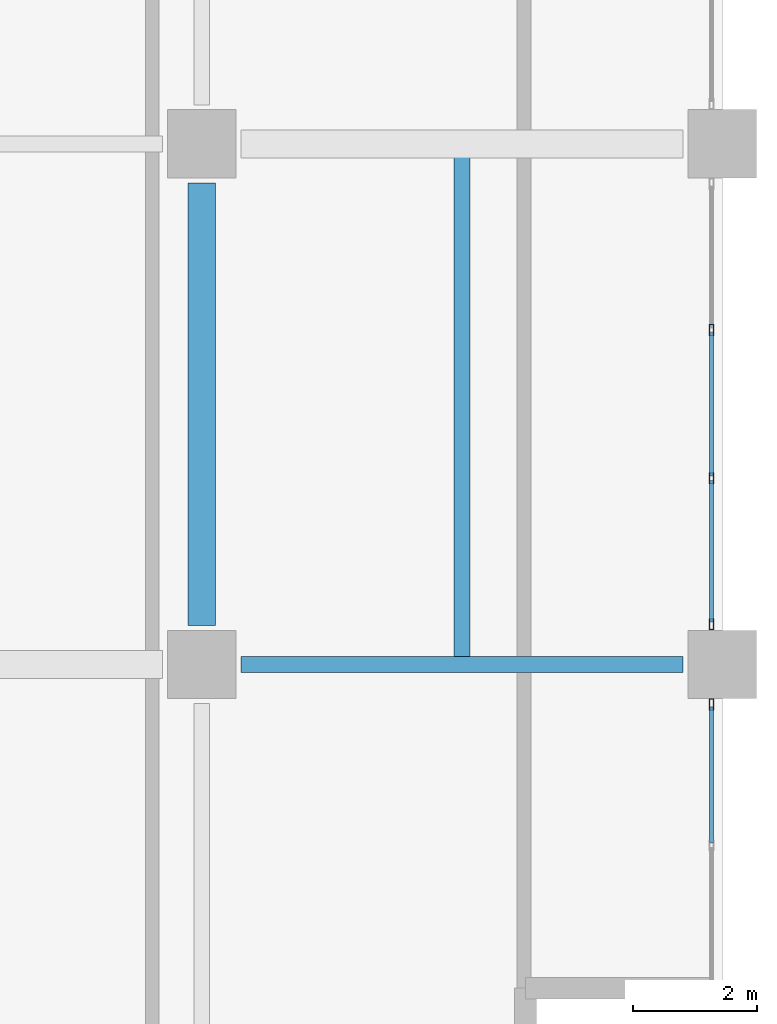
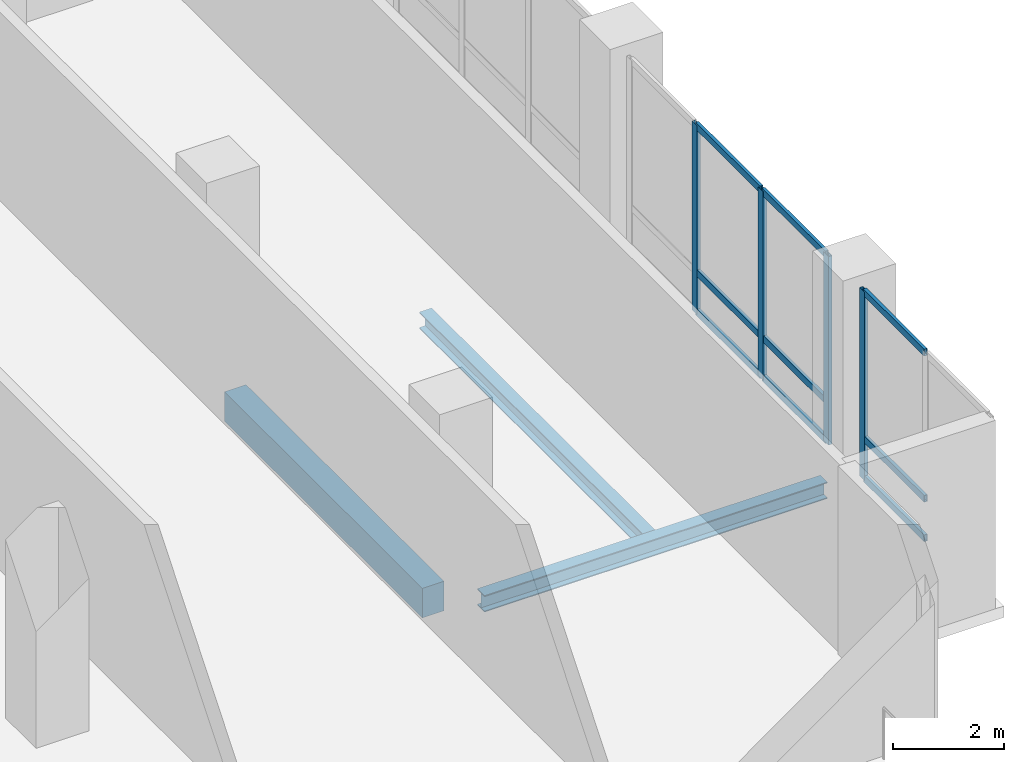
# One storey, part 4 of 22: 13 members, 3 beams, 2 elements without a shape of their own.
"""IFC4 building model written with IfcOpenShell, lengths in metres."""

from ifc_helpers import new_model, si_unit, direction, frame, origin, origin_2d, place, context, subcontext, project, spatial, rectangle, hollow_rectangle, i_section, extrude, material, layer, layer_set, material_profile, profile_set, type_object, element, aggregate, save


model = new_model("IFC4")

# Units and contexts
model_context = context("Model", 3, precision=1e-05, world=origin(), true_north=direction((0.0, 1.0)))
body_context = subcontext(model_context, "Body", "Model", "MODEL_VIEW")
ifc_project = project(units=[si_unit("LENGTHUNIT", "METRE"), si_unit("AREAUNIT", "SQUARE_METRE"), si_unit("VOLUMEUNIT", "CUBIC_METRE"), si_unit("PLANEANGLEUNIT", "RADIAN"), si_unit("MASSUNIT", "GRAM", prefix="KILO")], contexts=[model_context])

# Site, building, storey
site_placement = place(None, origin())
site = spatial("IfcSite", under=ifc_project, at=site_placement, CompositionType="ELEMENT")
building_placement = place(site_placement, origin())
building = spatial("IfcBuilding", under=site, at=building_placement, Name="Koriwani Terraces Tower", CompositionType="ELEMENT")
storey_placement = place(building_placement, frame((0.0, 0.0, 153.199951171875)))
storey = spatial("IfcBuildingStorey", under=building, at=storey_placement, Name="L37", CompositionType="ELEMENT", Elevation=153.199951171875)

# Beam
ifc_material_1 = material(Name="Concrete C50/60", Category="concrete")
ifc_material_profile_1 = material_profile(ifc_material_1, rectangle(XDim=0.449951171875, YDim=0.64990234375, at=origin_2d()), Name="Concrete C50/60", Category="LoadBearing")
ifc_profile_set_1 = profile_set([ifc_material_profile_1], Name="Concrete C50/60")
beam_type_1 = type_object("IfcBeamType", Name="BEAM_RC_GRID_450X650", PredefinedType="BEAM", material=ifc_profile_set_1)
beam_1_placement = place(storey_placement, frame((67.199951171875, 9.030029296875, -0.574951171875), z_axis=(0.0, 1.0, 0.0), x_axis=(-1.0, 0.0, 0.0)))
element("IfcBeam", 1, at=beam_1_placement, inside=storey, type_object=beam_type_1, Name="L37 Grid Beam 9 (8.4-16.8m)", PredefinedType="BEAM", context=body_context, shape_type="SweptSolid", body=[
    extrude(rectangle(XDim=0.449951171875, YDim=0.64990234375, at=origin_2d()), origin(), (0.0, 0.0, 1.0), 7.139892578125),
])

# Curtain wall, members
ifc_material_2 = material(Name="Anodised Bronze Aluminium", Category="aluminium")
ifc_layer = layer(ifc_material_2, 0.169921875, Name="Anodised Bronze Aluminium")
ifc_layer_set = layer_set([ifc_layer], Name="Anodised Bronze Aluminium")
curtain_wall_type = type_object("IfcCurtainWallType", Name="CW_RES_ZONE3", PredefinedType="NOTDEFINED", material=ifc_layer_set)
curtain_wall_1_placement = place(storey_placement, origin())
curtain_wall_1 = element("IfcCurtainWall", 2, at=curtain_wall_1_placement, inside=storey, type_object=curtain_wall_type, Name="L37 Unitised Curtain Wall (E_TIP) Bay 3", PredefinedType="NOTDEFINED")
ifc_material_profile_2 = material_profile(ifc_material_2, hollow_rectangle(XDim=0.074951171875, YDim=0.179931640625, WallThickness=0.006103515625, at=origin_2d()), Name="Anodised Bronze Aluminium", Category="LoadBearing")
ifc_profile_set_2 = profile_set([ifc_material_profile_2], Name="Anodised Bronze Aluminium")
member_type_1 = type_object("IfcMemberType", Name="CW_MULLION_180X75", PredefinedType="MULLION", material=ifc_profile_set_2)
member_1_placement = place(storey_placement, frame((75.425048828125, 13.796630859375, 0.0), z_axis=(0.0, 0.0, 1.0), x_axis=(1.0, 0.0, 0.0)))
member_1 = element("IfcMember", 3, at=member_1_placement, type_object=member_type_1, Name="CW-Z3 mullion 2", PredefinedType="MULLION", context=body_context, shape_type="SweptSolid", body=[
    extrude(hollow_rectangle(XDim=0.074951171875, YDim=0.179931640625, WallThickness=0.006103515625, at=origin_2d()), origin(), (0.0, 0.0, 1.0), 4.150146484375),
])
member_2_placement = place(storey_placement, frame((75.425048828125, 11.4033203125, 0.0), z_axis=(0.0, 0.0, 1.0), x_axis=(1.0, 0.0, 0.0)))
member_2 = element("IfcMember", 4, at=member_2_placement, type_object=member_type_1, Name="CW-Z3 mullion 3", PredefinedType="MULLION", context=body_context, shape_type="SweptSolid", body=[
    extrude(hollow_rectangle(XDim=0.074951171875, YDim=0.179931640625, WallThickness=0.006103515625, at=origin_2d()), origin(), (0.0, 0.0, 1.0), 4.150146484375),
])
member_3_placement = place(storey_placement, frame((75.425048828125, 9.047607421875, 0.0), z_axis=(0.0, 0.0, 1.0), x_axis=(1.0, 0.0, 0.0)))
member_3 = element("IfcMember", 5, at=member_3_placement, type_object=member_type_1, Name="CW-Z3 mullion 4", PredefinedType="MULLION", context=body_context, shape_type="SweptSolid", body=[
    extrude(hollow_rectangle(XDim=0.074951171875, YDim=0.179931640625, WallThickness=0.006103515625, at=origin_2d()), origin(), (0.0, 0.0, 1.0), 4.150146484375),
])

# Curtain wall, member
curtain_wall_2_placement = place(storey_placement, origin())
curtain_wall_2 = element("IfcCurtainWall", 6, at=curtain_wall_2_placement, inside=storey, type_object=curtain_wall_type, Name="L37 Unitised Curtain Wall (E_TIP) Bay 4", PredefinedType="NOTDEFINED")
member_4_placement = place(storey_placement, frame((75.425048828125, 7.75244140625, 0.0), z_axis=(0.0, 0.0, 1.0), x_axis=(1.0, 0.0, 0.0)))
member_4 = element("IfcMember", 7, at=member_4_placement, type_object=member_type_1, Name="CW-Z3 mullion 1", PredefinedType="MULLION", context=body_context, shape_type="SweptSolid", body=[
    extrude(hollow_rectangle(XDim=0.074951171875, YDim=0.179931640625, WallThickness=0.006103515625, at=origin_2d()), origin(), (0.0, 0.0, 1.0), 4.150146484375),
])

# Member
ifc_material_profile_3 = material_profile(ifc_material_2, hollow_rectangle(XDim=0.06494140625, YDim=0.14990234375, WallThickness=0.0048828125, at=origin_2d()), Name="Anodised Bronze Aluminium", Category="LoadBearing")
ifc_profile_set_3 = profile_set([ifc_material_profile_3], Name="Anodised Bronze Aluminium")
member_type_2 = type_object("IfcMemberType", Name="CW_TRANSOM_150X65", PredefinedType="USERDEFINED", material=ifc_profile_set_3)
member_5_placement = place(storey_placement, frame((75.425048828125, 13.75927734375, 0.032470703125), z_axis=(0.0, -1.0, 0.0), x_axis=(1.0, 0.0, 0.0)))
member_5 = element("IfcMember", 8, at=member_5_placement, type_object=member_type_2, Name="CW-Z3 transom 2.1", ObjectType="TRANSOM", PredefinedType="USERDEFINED", context=body_context, shape_type="SweptSolid", body=[
    extrude(hollow_rectangle(XDim=0.06494140625, YDim=0.14990234375, WallThickness=0.0048828125, at=origin_2d()), origin(), (0.0, 0.0, 1.0), 2.318359375),
])

member_6_placement = place(storey_placement, frame((75.425048828125, 13.75927734375, 0.900146484375), z_axis=(0.0, -1.0, 0.0), x_axis=(1.0, 0.0, 0.0)))
member_6 = element("IfcMember", 9, at=member_6_placement, type_object=member_type_2, Name="CW-Z3 transom 2.2", ObjectType="TRANSOM", PredefinedType="USERDEFINED", context=body_context, shape_type="SweptSolid", body=[
    extrude(hollow_rectangle(XDim=0.06494140625, YDim=0.14990234375, WallThickness=0.0048828125, at=origin_2d()), origin(), (0.0, 0.0, 1.0), 2.318359375),
])

member_7_placement = place(storey_placement, frame((75.425048828125, 13.75927734375, 4.117431640625), z_axis=(0.0, -1.0, 0.0), x_axis=(1.0, 0.0, 0.0)))
member_7 = element("IfcMember", 10, at=member_7_placement, type_object=member_type_2, Name="CW-Z3 transom 2.3", ObjectType="TRANSOM", PredefinedType="USERDEFINED", context=body_context, shape_type="SweptSolid", body=[
    extrude(hollow_rectangle(XDim=0.06494140625, YDim=0.14990234375, WallThickness=0.0048828125, at=origin_2d()), origin(), (0.0, 0.0, 1.0), 2.318359375),
])

member_8_placement = place(storey_placement, frame((75.425048828125, 11.36572265625, 0.032470703125), z_axis=(0.0, -1.0, 0.0), x_axis=(1.0, 0.0, 0.0)))
member_8 = element("IfcMember", 11, at=member_8_placement, type_object=member_type_2, Name="CW-Z3 transom 3.1", ObjectType="TRANSOM", PredefinedType="USERDEFINED", context=body_context, shape_type="SweptSolid", body=[
    extrude(hollow_rectangle(XDim=0.06494140625, YDim=0.14990234375, WallThickness=0.0048828125, at=origin_2d()), origin(), (0.0, 0.0, 1.0), 2.28076171875),
])

member_9_placement = place(storey_placement, frame((75.425048828125, 11.36572265625, 0.900146484375), z_axis=(0.0, -1.0, 0.0), x_axis=(1.0, 0.0, 0.0)))
member_9 = element("IfcMember", 12, at=member_9_placement, type_object=member_type_2, Name="CW-Z3 transom 3.2", ObjectType="TRANSOM", PredefinedType="USERDEFINED", context=body_context, shape_type="SweptSolid", body=[
    extrude(hollow_rectangle(XDim=0.06494140625, YDim=0.14990234375, WallThickness=0.0048828125, at=origin_2d()), origin(), (0.0, 0.0, 1.0), 2.28076171875),
])

member_10_placement = place(storey_placement, frame((75.425048828125, 11.36572265625, 4.117431640625), z_axis=(0.0, -1.0, 0.0), x_axis=(1.0, 0.0, 0.0)))
member_10 = element("IfcMember", 13, at=member_10_placement, type_object=member_type_2, Name="CW-Z3 transom 3.3", ObjectType="TRANSOM", PredefinedType="USERDEFINED", context=body_context, shape_type="SweptSolid", body=[
    extrude(hollow_rectangle(XDim=0.06494140625, YDim=0.14990234375, WallThickness=0.0048828125, at=origin_2d()), origin(), (0.0, 0.0, 1.0), 2.28076171875),
])

aggregate(curtain_wall_1, [member_1, member_2, member_3, member_5, member_6, member_7, member_8, member_9, member_10])

member_11_placement = place(storey_placement, frame((75.425048828125, 7.715087890625, 0.032470703125), z_axis=(0.0, -1.0, 0.0), x_axis=(1.0, 0.0, 0.0)))
member_11 = element("IfcMember", 14, at=member_11_placement, type_object=member_type_2, Name="CW-Z3 transom 1.1", ObjectType="TRANSOM", PredefinedType="USERDEFINED", context=body_context, shape_type="SweptSolid", body=[
    extrude(hollow_rectangle(XDim=0.06494140625, YDim=0.14990234375, WallThickness=0.0048828125, at=origin_2d()), origin(), (0.0, 0.0, 1.0), 2.195068359375),
])

member_12_placement = place(storey_placement, frame((75.425048828125, 7.715087890625, 0.900146484375), z_axis=(0.0, -1.0, 0.0), x_axis=(1.0, 0.0, 0.0)))
member_12 = element("IfcMember", 15, at=member_12_placement, type_object=member_type_2, Name="CW-Z3 transom 1.2", ObjectType="TRANSOM", PredefinedType="USERDEFINED", context=body_context, shape_type="SweptSolid", body=[
    extrude(hollow_rectangle(XDim=0.06494140625, YDim=0.14990234375, WallThickness=0.0048828125, at=origin_2d()), origin(), (0.0, 0.0, 1.0), 2.195068359375),
])

member_13_placement = place(storey_placement, frame((75.425048828125, 7.715087890625, 4.117431640625), z_axis=(0.0, -1.0, 0.0), x_axis=(1.0, 0.0, 0.0)))
member_13 = element("IfcMember", 16, at=member_13_placement, type_object=member_type_2, Name="CW-Z3 transom 1.3", ObjectType="TRANSOM", PredefinedType="USERDEFINED", context=body_context, shape_type="SweptSolid", body=[
    extrude(hollow_rectangle(XDim=0.06494140625, YDim=0.14990234375, WallThickness=0.0048828125, at=origin_2d()), origin(), (0.0, 0.0, 1.0), 2.195068359375),
])

aggregate(curtain_wall_2, [member_4, member_11, member_12, member_13])

# Beams
ifc_material_3 = material(Name="Steel ASTM A572 Grade 50", Category="steel")
ifc_material_profile_4 = material_profile(ifc_material_3, i_section(OverallWidth=0.257080078125, OverallDepth=0.363037109375, WebThickness=0.012939453125, FlangeThickness=0.021728515625, at=origin_2d()), Name="Steel ASTM A572 Grade 50", Category="LoadBearing")
ifc_profile_set_4 = profile_set([ifc_material_profile_4], Name="Steel ASTM A572 Grade 50")
beam_type_2 = type_object("IfcBeamType", Name="STEEL_BEAM_W360X122", PredefinedType="JOIST", material=ifc_profile_set_4)
beam_2_placement = place(storey_placement, frame((67.830078125, 8.39990234375, -0.431396484375), z_axis=(1.0, 0.0, 0.0), x_axis=(0.0, 1.0, 0.0)))
element("IfcBeam", 17, at=beam_2_placement, inside=storey, type_object=beam_type_2, Name="L37 Grid Beam B (67.2-75.6m)", PredefinedType="JOIST", context=body_context, shape_type="SweptSolid", body=[
    extrude(i_section(OverallWidth=0.257080078125, OverallDepth=0.363037109375, WebThickness=0.012939453125, FlangeThickness=0.021728515625, at=origin_2d()), origin(), (0.0, 0.0, 1.0), 7.139892578125),
])
beam_3_placement = place(storey_placement, frame((71.39990234375, 8.5185546875, -0.431396484375), z_axis=(0.0, 1.0, 0.0), x_axis=(-1.0, 0.0, 0.0)))
element("IfcBeam", 18, at=beam_3_placement, inside=storey, type_object=beam_type_2, Name="L37 Secondary Steel Floor Joist X=71.4m", PredefinedType="JOIST", context=body_context, shape_type="SweptSolid", body=[
    extrude(i_section(OverallWidth=0.257080078125, OverallDepth=0.363037109375, WebThickness=0.012939453125, FlangeThickness=0.021728515625, at=origin_2d()), origin(), (0.0, 0.0, 1.0), 8.06640625),
])

save(model, "model.ifc")
